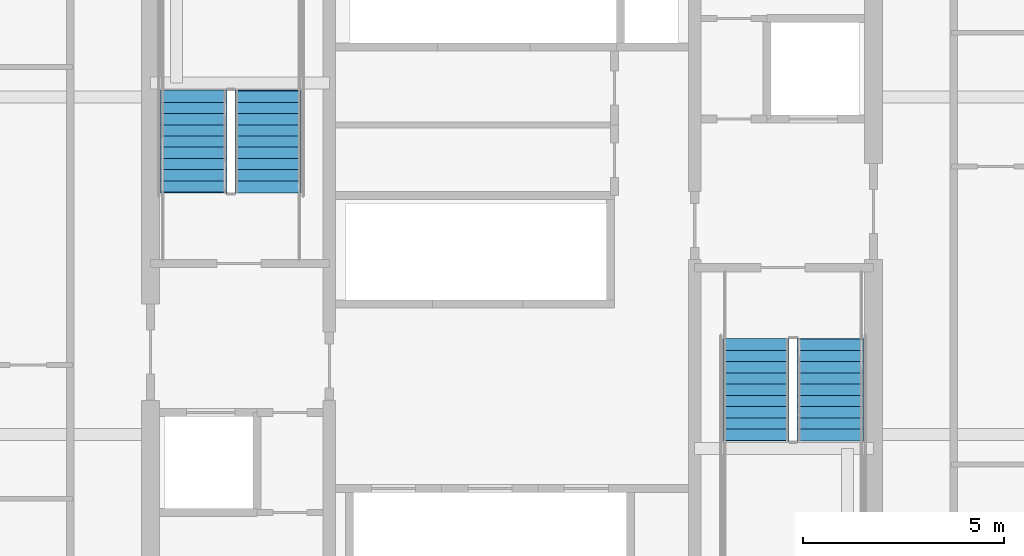
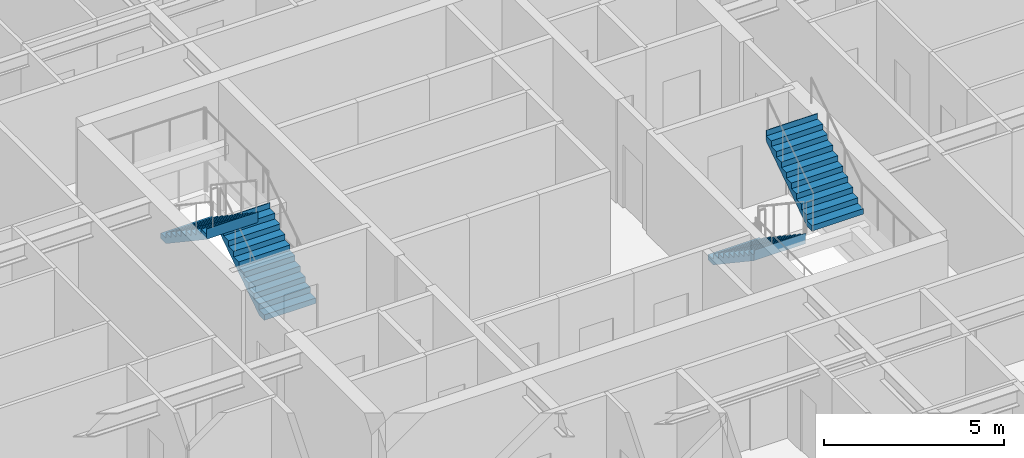
# One storey, part 29 of 35: 4 stair flights, 2 elements without a shape of their own.
"""IFC4 building model written with IfcOpenShell, lengths in metres."""

from ifc_helpers import new_model, si_unit, direction, frame, origin, place, context, subcontext, project, spatial, polygons, material, type_object, element, aggregate, save


model = new_model("IFC4")

# Units and contexts
model_context = context("Model", 3, precision=1e-05, world=origin(), true_north=direction((0.0, 1.0)))
body_context = subcontext(model_context, "Body", "Model", "MODEL_VIEW")
ifc_project = project(units=[si_unit("LENGTHUNIT", "METRE"), si_unit("AREAUNIT", "SQUARE_METRE"), si_unit("VOLUMEUNIT", "CUBIC_METRE"), si_unit("PLANEANGLEUNIT", "RADIAN"), si_unit("MASSUNIT", "GRAM", prefix="KILO")], contexts=[model_context])

# Site, building, storey
site_placement = place(None, origin())
site = spatial("IfcSite", under=ifc_project, at=site_placement, CompositionType="ELEMENT")
building_placement = place(site_placement, origin())
building = spatial("IfcBuilding", under=site, at=building_placement, Name="Serunith Strait Residences", CompositionType="ELEMENT")
storey_placement = place(building_placement, frame((0.0, 0.0, 56.699951171875)))
storey = spatial("IfcBuildingStorey", under=building, at=storey_placement, Name="L13", CompositionType="ELEMENT", Elevation=56.699951171875)

# Stair, stair flights
ifc_material = material(Name="Concrete C50/60", Category="concrete")
stair_type_1 = type_object("IfcStairType", Name="STR-CORE-1", PredefinedType="HALF_TURN_STAIR", material=ifc_material)
stair_1_placement = place(storey_placement, origin())
stair_1 = element("IfcStair", 1, at=stair_1_placement, inside=storey, type_object=stair_type_1, Name="L13 Protected Escape Stair ST-1", PredefinedType="HALF_TURN_STAIR")
stair_flight_type_1 = type_object("IfcStairFlightType", Name="FLT-CORE-1", PredefinedType="STRAIGHT", material=ifc_material)
stair_flight_1_placement = place(storey_placement, frame((26.324951171875, 27.030029296875, 0.0), z_axis=(0.0, 0.0, 1.0), x_axis=(0.0, 1.0, 0.0)))
stair_flight_1 = element("IfcStairFlight", 2, at=stair_flight_1_placement, type_object=stair_flight_type_1, Name="ST-1 flight 1", NumberOfRisers=10, NumberOfTreads=9, PredefinedType="STRAIGHT", RiserHeight=0.1875, TreadLength=0.28, context=body_context, shape_type="Tessellation", body=[
    polygons([(-0.02001953125, -0.824951171875, 0.0), (-0.02001953125, -0.824951171875, 0.1875), (0.280029296875, -0.824951171875, 0.1875), (0.280029296875, -0.824951171875, 0.375), (0.56005859375, -0.824951171875, 0.375), (0.56005859375, -0.824951171875, 0.5625), (0.840087890625, -0.824951171875, 0.5625), (0.840087890625, -0.824951171875, 0.75), (1.1201171875, -0.824951171875, 0.75), (1.1201171875, -0.824951171875, 0.9375), (1.39990234375, -0.824951171875, 0.9375), (1.39990234375, -0.824951171875, 1.125), (1.679931640625, -0.824951171875, 1.125), (1.679931640625, -0.824951171875, 1.3125), (1.9599609375, -0.824951171875, 1.3125), (1.9599609375, -0.824951171875, 1.5), (2.239990234375, -0.824951171875, 1.5), (2.239990234375, -0.824951171875, 1.6875), (2.52001953125, -0.824951171875, 1.6875), (2.52001953125, -0.824951171875, 1.875), (2.5400390625, -0.824951171875, 1.875), (2.5400390625, -0.824951171875, 1.81494140625), (2.52001953125, -0.824951171875, 1.507080078125), (0.26953125, -0.824951171875, 0.0), (-0.02001953125, -0.41259765625, 0.0), (-0.02001953125, -0.41259765625, 0.1875), (0.280029296875, -0.41259765625, 0.1875), (0.280029296875, -0.41259765625, 0.375), (0.56005859375, -0.41259765625, 0.375), (0.56005859375, -0.41259765625, 0.5625), (0.840087890625, -0.41259765625, 0.5625), (0.840087890625, -0.41259765625, 0.75), (1.1201171875, -0.41259765625, 0.75), (1.1201171875, -0.41259765625, 0.9375), (1.39990234375, -0.41259765625, 0.9375), (1.39990234375, -0.41259765625, 1.125), (1.679931640625, -0.41259765625, 1.125), (1.679931640625, -0.41259765625, 1.3125), (1.9599609375, -0.41259765625, 1.3125), (1.9599609375, -0.41259765625, 1.5), (2.239990234375, -0.41259765625, 1.5), (2.239990234375, -0.41259765625, 1.6875), (2.52001953125, -0.41259765625, 1.6875), (2.52001953125, -0.41259765625, 1.875), (2.5400390625, -0.41259765625, 1.875), (2.5400390625, -0.41259765625, 1.81494140625), (2.52001953125, -0.41259765625, 1.507080078125), (0.26953125, -0.41259765625, 0.0), (-0.02001953125, 0.0, 0.0), (-0.02001953125, 0.0, 0.1875), (0.280029296875, 0.0, 0.1875), (0.280029296875, 0.0, 0.375), (0.56005859375, 0.0, 0.375), (0.56005859375, 0.0, 0.5625), (0.840087890625, 0.0, 0.5625), (0.840087890625, 0.0, 0.75), (1.1201171875, 0.0, 0.75), (1.1201171875, 0.0, 0.9375), (1.39990234375, 0.0, 0.9375), (1.39990234375, 0.0, 1.125), (1.679931640625, 0.0, 1.125), (1.679931640625, 0.0, 1.3125), (1.9599609375, 0.0, 1.3125), (1.9599609375, 0.0, 1.5), (2.239990234375, 0.0, 1.5), (2.239990234375, 0.0, 1.6875), (2.52001953125, 0.0, 1.6875), (2.52001953125, 0.0, 1.875), (2.5400390625, 0.0, 1.875), (2.5400390625, 0.0, 1.81494140625), (2.52001953125, 0.0, 1.507080078125), (0.26953125, 0.0, 0.0), (-0.02001953125, 0.41259765625, 0.0), (-0.02001953125, 0.41259765625, 0.1875), (0.280029296875, 0.41259765625, 0.1875), (0.280029296875, 0.41259765625, 0.375), (0.56005859375, 0.41259765625, 0.375), (0.56005859375, 0.41259765625, 0.5625), (0.840087890625, 0.41259765625, 0.5625), (0.840087890625, 0.41259765625, 0.75), (1.1201171875, 0.41259765625, 0.75), (1.1201171875, 0.41259765625, 0.9375), (1.39990234375, 0.41259765625, 0.9375), (1.39990234375, 0.41259765625, 1.125), (1.679931640625, 0.41259765625, 1.125), (1.679931640625, 0.41259765625, 1.3125), (1.9599609375, 0.41259765625, 1.3125), (1.9599609375, 0.41259765625, 1.5), (2.239990234375, 0.41259765625, 1.5), (2.239990234375, 0.41259765625, 1.6875), (2.52001953125, 0.41259765625, 1.6875), (2.52001953125, 0.41259765625, 1.875), (2.5400390625, 0.41259765625, 1.875), (2.5400390625, 0.41259765625, 1.81494140625), (2.52001953125, 0.41259765625, 1.507080078125), (0.26953125, 0.41259765625, 0.0), (-0.02001953125, 0.824951171875, 0.0), (-0.02001953125, 0.824951171875, 0.1875), (0.280029296875, 0.824951171875, 0.1875), (0.280029296875, 0.824951171875, 0.375), (0.56005859375, 0.824951171875, 0.375), (0.56005859375, 0.824951171875, 0.5625), (0.840087890625, 0.824951171875, 0.5625), (0.840087890625, 0.824951171875, 0.75), (1.1201171875, 0.824951171875, 0.75), (1.1201171875, 0.824951171875, 0.9375), (1.39990234375, 0.824951171875, 0.9375), (1.39990234375, 0.824951171875, 1.125), (1.679931640625, 0.824951171875, 1.125), (1.679931640625, 0.824951171875, 1.3125), (1.9599609375, 0.824951171875, 1.3125), (1.9599609375, 0.824951171875, 1.5), (2.239990234375, 0.824951171875, 1.5), (2.239990234375, 0.824951171875, 1.6875), (2.52001953125, 0.824951171875, 1.6875), (2.52001953125, 0.824951171875, 1.875), (2.5400390625, 0.824951171875, 1.875), (2.5400390625, 0.824951171875, 1.81494140625), (2.52001953125, 0.824951171875, 1.507080078125), (0.26953125, 0.824951171875, 0.0)], [[[1, 2, 26, 25]], [[2, 3, 27, 26]], [[3, 4, 28, 27]], [[4, 5, 29, 28]], [[5, 6, 30, 29]], [[6, 7, 31, 30]], [[7, 8, 32, 31]], [[8, 9, 33, 32]], [[9, 10, 34, 33]], [[10, 11, 35, 34]], [[11, 12, 36, 35]], [[12, 13, 37, 36]], [[13, 14, 38, 37]], [[14, 15, 39, 38]], [[15, 16, 40, 39]], [[16, 17, 41, 40]], [[17, 18, 42, 41]], [[18, 19, 43, 42]], [[19, 20, 44, 43]], [[20, 21, 45, 44]], [[21, 22, 46, 45]], [[22, 23, 47, 46]], [[23, 24, 48, 47]], [[24, 1, 25, 48]], [[25, 26, 50, 49]], [[26, 27, 51, 50]], [[27, 28, 52, 51]], [[28, 29, 53, 52]], [[29, 30, 54, 53]], [[30, 31, 55, 54]], [[31, 32, 56, 55]], [[32, 33, 57, 56]], [[33, 34, 58, 57]], [[34, 35, 59, 58]], [[35, 36, 60, 59]], [[36, 37, 61, 60]], [[37, 38, 62, 61]], [[38, 39, 63, 62]], [[39, 40, 64, 63]], [[40, 41, 65, 64]], [[41, 42, 66, 65]], [[42, 43, 67, 66]], [[43, 44, 68, 67]], [[44, 45, 69, 68]], [[45, 46, 70, 69]], [[46, 47, 71, 70]], [[47, 48, 72, 71]], [[48, 25, 49, 72]], [[49, 50, 74, 73]], [[50, 51, 75, 74]], [[51, 52, 76, 75]], [[52, 53, 77, 76]], [[53, 54, 78, 77]], [[54, 55, 79, 78]], [[55, 56, 80, 79]], [[56, 57, 81, 80]], [[57, 58, 82, 81]], [[58, 59, 83, 82]], [[59, 60, 84, 83]], [[60, 61, 85, 84]], [[61, 62, 86, 85]], [[62, 63, 87, 86]], [[63, 64, 88, 87]], [[64, 65, 89, 88]], [[65, 66, 90, 89]], [[66, 67, 91, 90]], [[67, 68, 92, 91]], [[68, 69, 93, 92]], [[69, 70, 94, 93]], [[70, 71, 95, 94]], [[71, 72, 96, 95]], [[72, 49, 73, 96]], [[73, 74, 98, 97]], [[74, 75, 99, 98]], [[75, 76, 100, 99]], [[76, 77, 101, 100]], [[77, 78, 102, 101]], [[78, 79, 103, 102]], [[79, 80, 104, 103]], [[80, 81, 105, 104]], [[81, 82, 106, 105]], [[82, 83, 107, 106]], [[83, 84, 108, 107]], [[84, 85, 109, 108]], [[85, 86, 110, 109]], [[86, 87, 111, 110]], [[87, 88, 112, 111]], [[88, 89, 113, 112]], [[89, 90, 114, 113]], [[90, 91, 115, 114]], [[91, 92, 116, 115]], [[92, 93, 117, 116]], [[93, 94, 118, 117]], [[94, 95, 119, 118]], [[95, 96, 120, 119]], [[96, 73, 97, 120]], [[24, 23, 22, 21, 20, 19, 18, 17, 16, 15, 14, 13, 12, 11, 10, 9, 8, 7, 6, 5, 4, 3, 2, 1]], [[97, 98, 99, 100, 101, 102, 103, 104, 105, 106, 107, 108, 109, 110, 111, 112, 113, 114, 115, 116, 117, 118, 119, 120]]], closed=True),
])
stair_flight_2_placement = place(storey_placement, frame((24.47509765625, 29.550048828125, 1.875), z_axis=(0.0, 0.0, 1.0), x_axis=(0.0, -1.0, 0.0)))
stair_flight_2 = element("IfcStairFlight", 3, at=stair_flight_2_placement, type_object=stair_flight_type_1, Name="ST-1 flight 2", NumberOfRisers=10, NumberOfTreads=9, PredefinedType="STRAIGHT", RiserHeight=0.1875, TreadLength=0.28, context=body_context, shape_type="Tessellation", body=[
    polygons([(-0.02001953125, -0.824951171875, 0.0), (-0.02001953125, -0.824951171875, 0.1875), (0.280029296875, -0.824951171875, 0.1875), (0.280029296875, -0.824951171875, 0.375), (0.56005859375, -0.824951171875, 0.375), (0.56005859375, -0.824951171875, 0.5625), (0.840087890625, -0.824951171875, 0.5625), (0.840087890625, -0.824951171875, 0.75), (1.1201171875, -0.824951171875, 0.75), (1.1201171875, -0.824951171875, 0.9375), (1.39990234375, -0.824951171875, 0.9375), (1.39990234375, -0.824951171875, 1.125), (1.679931640625, -0.824951171875, 1.125), (1.679931640625, -0.824951171875, 1.3125), (1.9599609375, -0.824951171875, 1.3125), (1.9599609375, -0.824951171875, 1.5), (2.239990234375, -0.824951171875, 1.5), (2.239990234375, -0.824951171875, 1.6875), (2.52001953125, -0.824951171875, 1.6875), (2.52001953125, -0.824951171875, 1.875), (2.5400390625, -0.824951171875, 1.875), (2.5400390625, -0.824951171875, 1.81494140625), (2.52001953125, -0.824951171875, 1.507080078125), (0.26953125, -0.824951171875, 0.0), (-0.02001953125, -0.41259765625, 0.0), (-0.02001953125, -0.41259765625, 0.1875), (0.280029296875, -0.41259765625, 0.1875), (0.280029296875, -0.41259765625, 0.375), (0.56005859375, -0.41259765625, 0.375), (0.56005859375, -0.41259765625, 0.5625), (0.840087890625, -0.41259765625, 0.5625), (0.840087890625, -0.41259765625, 0.75), (1.1201171875, -0.41259765625, 0.75), (1.1201171875, -0.41259765625, 0.9375), (1.39990234375, -0.41259765625, 0.9375), (1.39990234375, -0.41259765625, 1.125), (1.679931640625, -0.41259765625, 1.125), (1.679931640625, -0.41259765625, 1.3125), (1.9599609375, -0.41259765625, 1.3125), (1.9599609375, -0.41259765625, 1.5), (2.239990234375, -0.41259765625, 1.5), (2.239990234375, -0.41259765625, 1.6875), (2.52001953125, -0.41259765625, 1.6875), (2.52001953125, -0.41259765625, 1.875), (2.5400390625, -0.41259765625, 1.875), (2.5400390625, -0.41259765625, 1.81494140625), (2.52001953125, -0.41259765625, 1.507080078125), (0.26953125, -0.41259765625, 0.0), (-0.02001953125, 0.0, 0.0), (-0.02001953125, 0.0, 0.1875), (0.280029296875, 0.0, 0.1875), (0.280029296875, 0.0, 0.375), (0.56005859375, 0.0, 0.375), (0.56005859375, 0.0, 0.5625), (0.840087890625, 0.0, 0.5625), (0.840087890625, 0.0, 0.75), (1.1201171875, 0.0, 0.75), (1.1201171875, 0.0, 0.9375), (1.39990234375, 0.0, 0.9375), (1.39990234375, 0.0, 1.125), (1.679931640625, 0.0, 1.125), (1.679931640625, 0.0, 1.3125), (1.9599609375, 0.0, 1.3125), (1.9599609375, 0.0, 1.5), (2.239990234375, 0.0, 1.5), (2.239990234375, 0.0, 1.6875), (2.52001953125, 0.0, 1.6875), (2.52001953125, 0.0, 1.875), (2.5400390625, 0.0, 1.875), (2.5400390625, 0.0, 1.81494140625), (2.52001953125, 0.0, 1.507080078125), (0.26953125, 0.0, 0.0), (-0.02001953125, 0.41259765625, 0.0), (-0.02001953125, 0.41259765625, 0.1875), (0.280029296875, 0.41259765625, 0.1875), (0.280029296875, 0.41259765625, 0.375), (0.56005859375, 0.41259765625, 0.375), (0.56005859375, 0.41259765625, 0.5625), (0.840087890625, 0.41259765625, 0.5625), (0.840087890625, 0.41259765625, 0.75), (1.1201171875, 0.41259765625, 0.75), (1.1201171875, 0.41259765625, 0.9375), (1.39990234375, 0.41259765625, 0.9375), (1.39990234375, 0.41259765625, 1.125), (1.679931640625, 0.41259765625, 1.125), (1.679931640625, 0.41259765625, 1.3125), (1.9599609375, 0.41259765625, 1.3125), (1.9599609375, 0.41259765625, 1.5), (2.239990234375, 0.41259765625, 1.5), (2.239990234375, 0.41259765625, 1.6875), (2.52001953125, 0.41259765625, 1.6875), (2.52001953125, 0.41259765625, 1.875), (2.5400390625, 0.41259765625, 1.875), (2.5400390625, 0.41259765625, 1.81494140625), (2.52001953125, 0.41259765625, 1.507080078125), (0.26953125, 0.41259765625, 0.0), (-0.02001953125, 0.824951171875, 0.0), (-0.02001953125, 0.824951171875, 0.1875), (0.280029296875, 0.824951171875, 0.1875), (0.280029296875, 0.824951171875, 0.375), (0.56005859375, 0.824951171875, 0.375), (0.56005859375, 0.824951171875, 0.5625), (0.840087890625, 0.824951171875, 0.5625), (0.840087890625, 0.824951171875, 0.75), (1.1201171875, 0.824951171875, 0.75), (1.1201171875, 0.824951171875, 0.9375), (1.39990234375, 0.824951171875, 0.9375), (1.39990234375, 0.824951171875, 1.125), (1.679931640625, 0.824951171875, 1.125), (1.679931640625, 0.824951171875, 1.3125), (1.9599609375, 0.824951171875, 1.3125), (1.9599609375, 0.824951171875, 1.5), (2.239990234375, 0.824951171875, 1.5), (2.239990234375, 0.824951171875, 1.6875), (2.52001953125, 0.824951171875, 1.6875), (2.52001953125, 0.824951171875, 1.875), (2.5400390625, 0.824951171875, 1.875), (2.5400390625, 0.824951171875, 1.81494140625), (2.52001953125, 0.824951171875, 1.507080078125), (0.26953125, 0.824951171875, 0.0)], [[[1, 2, 26, 25]], [[2, 3, 27, 26]], [[3, 4, 28, 27]], [[4, 5, 29, 28]], [[5, 6, 30, 29]], [[6, 7, 31, 30]], [[7, 8, 32, 31]], [[8, 9, 33, 32]], [[9, 10, 34, 33]], [[10, 11, 35, 34]], [[11, 12, 36, 35]], [[12, 13, 37, 36]], [[13, 14, 38, 37]], [[14, 15, 39, 38]], [[15, 16, 40, 39]], [[16, 17, 41, 40]], [[17, 18, 42, 41]], [[18, 19, 43, 42]], [[19, 20, 44, 43]], [[20, 21, 45, 44]], [[21, 22, 46, 45]], [[22, 23, 47, 46]], [[23, 24, 48, 47]], [[24, 1, 25, 48]], [[25, 26, 50, 49]], [[26, 27, 51, 50]], [[27, 28, 52, 51]], [[28, 29, 53, 52]], [[29, 30, 54, 53]], [[30, 31, 55, 54]], [[31, 32, 56, 55]], [[32, 33, 57, 56]], [[33, 34, 58, 57]], [[34, 35, 59, 58]], [[35, 36, 60, 59]], [[36, 37, 61, 60]], [[37, 38, 62, 61]], [[38, 39, 63, 62]], [[39, 40, 64, 63]], [[40, 41, 65, 64]], [[41, 42, 66, 65]], [[42, 43, 67, 66]], [[43, 44, 68, 67]], [[44, 45, 69, 68]], [[45, 46, 70, 69]], [[46, 47, 71, 70]], [[47, 48, 72, 71]], [[48, 25, 49, 72]], [[49, 50, 74, 73]], [[50, 51, 75, 74]], [[51, 52, 76, 75]], [[52, 53, 77, 76]], [[53, 54, 78, 77]], [[54, 55, 79, 78]], [[55, 56, 80, 79]], [[56, 57, 81, 80]], [[57, 58, 82, 81]], [[58, 59, 83, 82]], [[59, 60, 84, 83]], [[60, 61, 85, 84]], [[61, 62, 86, 85]], [[62, 63, 87, 86]], [[63, 64, 88, 87]], [[64, 65, 89, 88]], [[65, 66, 90, 89]], [[66, 67, 91, 90]], [[67, 68, 92, 91]], [[68, 69, 93, 92]], [[69, 70, 94, 93]], [[70, 71, 95, 94]], [[71, 72, 96, 95]], [[72, 49, 73, 96]], [[73, 74, 98, 97]], [[74, 75, 99, 98]], [[75, 76, 100, 99]], [[76, 77, 101, 100]], [[77, 78, 102, 101]], [[78, 79, 103, 102]], [[79, 80, 104, 103]], [[80, 81, 105, 104]], [[81, 82, 106, 105]], [[82, 83, 107, 106]], [[83, 84, 108, 107]], [[84, 85, 109, 108]], [[85, 86, 110, 109]], [[86, 87, 111, 110]], [[87, 88, 112, 111]], [[88, 89, 113, 112]], [[89, 90, 114, 113]], [[90, 91, 115, 114]], [[91, 92, 116, 115]], [[92, 93, 117, 116]], [[93, 94, 118, 117]], [[94, 95, 119, 118]], [[95, 96, 120, 119]], [[96, 73, 97, 120]], [[24, 23, 22, 21, 20, 19, 18, 17, 16, 15, 14, 13, 12, 11, 10, 9, 8, 7, 6, 5, 4, 3, 2, 1]], [[97, 98, 99, 100, 101, 102, 103, 104, 105, 106, 107, 108, 109, 110, 111, 112, 113, 114, 115, 116, 117, 118, 119, 120]]], closed=True),
])
aggregate(stair_1, [stair_flight_1, stair_flight_2])

stair_type_2 = type_object("IfcStairType", Name="STR-CORE-2", PredefinedType="HALF_TURN_STAIR", material=ifc_material)
stair_2_placement = place(storey_placement, origin())
stair_2 = element("IfcStair", 4, at=stair_2_placement, inside=storey, type_object=stair_type_2, Name="L13 Protected Escape Stair ST-2", PredefinedType="HALF_TURN_STAIR")
stair_flight_type_2 = type_object("IfcStairFlightType", Name="FLT-CORE-2", PredefinedType="STRAIGHT", material=ifc_material)
stair_flight_3_placement = place(storey_placement, frame((38.47509765625, 23.3701171875, 0.0), z_axis=(0.0, 0.0, 1.0), x_axis=(0.0, -1.0, 0.0)))
stair_flight_3 = element("IfcStairFlight", 5, at=stair_flight_3_placement, type_object=stair_flight_type_2, Name="ST-2 flight 1", NumberOfRisers=10, NumberOfTreads=9, PredefinedType="STRAIGHT", RiserHeight=0.1875, TreadLength=0.28, context=body_context, shape_type="Tessellation", body=[
    polygons([(-0.02001953125, -0.824951171875, 0.0), (-0.02001953125, -0.824951171875, 0.1875), (0.280029296875, -0.824951171875, 0.1875), (0.280029296875, -0.824951171875, 0.375), (0.56005859375, -0.824951171875, 0.375), (0.56005859375, -0.824951171875, 0.5625), (0.840087890625, -0.824951171875, 0.5625), (0.840087890625, -0.824951171875, 0.75), (1.1201171875, -0.824951171875, 0.75), (1.1201171875, -0.824951171875, 0.9375), (1.39990234375, -0.824951171875, 0.9375), (1.39990234375, -0.824951171875, 1.125), (1.679931640625, -0.824951171875, 1.125), (1.679931640625, -0.824951171875, 1.3125), (1.9599609375, -0.824951171875, 1.3125), (1.9599609375, -0.824951171875, 1.5), (2.239990234375, -0.824951171875, 1.5), (2.239990234375, -0.824951171875, 1.6875), (2.52001953125, -0.824951171875, 1.6875), (2.52001953125, -0.824951171875, 1.875), (2.5400390625, -0.824951171875, 1.875), (2.5400390625, -0.824951171875, 1.81494140625), (2.52001953125, -0.824951171875, 1.507080078125), (0.26953125, -0.824951171875, 0.0), (-0.02001953125, -0.41259765625, 0.0), (-0.02001953125, -0.41259765625, 0.1875), (0.280029296875, -0.41259765625, 0.1875), (0.280029296875, -0.41259765625, 0.375), (0.56005859375, -0.41259765625, 0.375), (0.56005859375, -0.41259765625, 0.5625), (0.840087890625, -0.41259765625, 0.5625), (0.840087890625, -0.41259765625, 0.75), (1.1201171875, -0.41259765625, 0.75), (1.1201171875, -0.41259765625, 0.9375), (1.39990234375, -0.41259765625, 0.9375), (1.39990234375, -0.41259765625, 1.125), (1.679931640625, -0.41259765625, 1.125), (1.679931640625, -0.41259765625, 1.3125), (1.9599609375, -0.41259765625, 1.3125), (1.9599609375, -0.41259765625, 1.5), (2.239990234375, -0.41259765625, 1.5), (2.239990234375, -0.41259765625, 1.6875), (2.52001953125, -0.41259765625, 1.6875), (2.52001953125, -0.41259765625, 1.875), (2.5400390625, -0.41259765625, 1.875), (2.5400390625, -0.41259765625, 1.81494140625), (2.52001953125, -0.41259765625, 1.507080078125), (0.26953125, -0.41259765625, 0.0), (-0.02001953125, 0.0, 0.0), (-0.02001953125, 0.0, 0.1875), (0.280029296875, 0.0, 0.1875), (0.280029296875, 0.0, 0.375), (0.56005859375, 0.0, 0.375), (0.56005859375, 0.0, 0.5625), (0.840087890625, 0.0, 0.5625), (0.840087890625, 0.0, 0.75), (1.1201171875, 0.0, 0.75), (1.1201171875, 0.0, 0.9375), (1.39990234375, 0.0, 0.9375), (1.39990234375, 0.0, 1.125), (1.679931640625, 0.0, 1.125), (1.679931640625, 0.0, 1.3125), (1.9599609375, 0.0, 1.3125), (1.9599609375, 0.0, 1.5), (2.239990234375, 0.0, 1.5), (2.239990234375, 0.0, 1.6875), (2.52001953125, 0.0, 1.6875), (2.52001953125, 0.0, 1.875), (2.5400390625, 0.0, 1.875), (2.5400390625, 0.0, 1.81494140625), (2.52001953125, 0.0, 1.507080078125), (0.26953125, 0.0, 0.0), (-0.02001953125, 0.41259765625, 0.0), (-0.02001953125, 0.41259765625, 0.1875), (0.280029296875, 0.41259765625, 0.1875), (0.280029296875, 0.41259765625, 0.375), (0.56005859375, 0.41259765625, 0.375), (0.56005859375, 0.41259765625, 0.5625), (0.840087890625, 0.41259765625, 0.5625), (0.840087890625, 0.41259765625, 0.75), (1.1201171875, 0.41259765625, 0.75), (1.1201171875, 0.41259765625, 0.9375), (1.39990234375, 0.41259765625, 0.9375), (1.39990234375, 0.41259765625, 1.125), (1.679931640625, 0.41259765625, 1.125), (1.679931640625, 0.41259765625, 1.3125), (1.9599609375, 0.41259765625, 1.3125), (1.9599609375, 0.41259765625, 1.5), (2.239990234375, 0.41259765625, 1.5), (2.239990234375, 0.41259765625, 1.6875), (2.52001953125, 0.41259765625, 1.6875), (2.52001953125, 0.41259765625, 1.875), (2.5400390625, 0.41259765625, 1.875), (2.5400390625, 0.41259765625, 1.81494140625), (2.52001953125, 0.41259765625, 1.507080078125), (0.26953125, 0.41259765625, 0.0), (-0.02001953125, 0.824951171875, 0.0), (-0.02001953125, 0.824951171875, 0.1875), (0.280029296875, 0.824951171875, 0.1875), (0.280029296875, 0.824951171875, 0.375), (0.56005859375, 0.824951171875, 0.375), (0.56005859375, 0.824951171875, 0.5625), (0.840087890625, 0.824951171875, 0.5625), (0.840087890625, 0.824951171875, 0.75), (1.1201171875, 0.824951171875, 0.75), (1.1201171875, 0.824951171875, 0.9375), (1.39990234375, 0.824951171875, 0.9375), (1.39990234375, 0.824951171875, 1.125), (1.679931640625, 0.824951171875, 1.125), (1.679931640625, 0.824951171875, 1.3125), (1.9599609375, 0.824951171875, 1.3125), (1.9599609375, 0.824951171875, 1.5), (2.239990234375, 0.824951171875, 1.5), (2.239990234375, 0.824951171875, 1.6875), (2.52001953125, 0.824951171875, 1.6875), (2.52001953125, 0.824951171875, 1.875), (2.5400390625, 0.824951171875, 1.875), (2.5400390625, 0.824951171875, 1.81494140625), (2.52001953125, 0.824951171875, 1.507080078125), (0.26953125, 0.824951171875, 0.0)], [[[1, 2, 26, 25]], [[2, 3, 27, 26]], [[3, 4, 28, 27]], [[4, 5, 29, 28]], [[5, 6, 30, 29]], [[6, 7, 31, 30]], [[7, 8, 32, 31]], [[8, 9, 33, 32]], [[9, 10, 34, 33]], [[10, 11, 35, 34]], [[11, 12, 36, 35]], [[12, 13, 37, 36]], [[13, 14, 38, 37]], [[14, 15, 39, 38]], [[15, 16, 40, 39]], [[16, 17, 41, 40]], [[17, 18, 42, 41]], [[18, 19, 43, 42]], [[19, 20, 44, 43]], [[20, 21, 45, 44]], [[21, 22, 46, 45]], [[22, 23, 47, 46]], [[23, 24, 48, 47]], [[24, 1, 25, 48]], [[25, 26, 50, 49]], [[26, 27, 51, 50]], [[27, 28, 52, 51]], [[28, 29, 53, 52]], [[29, 30, 54, 53]], [[30, 31, 55, 54]], [[31, 32, 56, 55]], [[32, 33, 57, 56]], [[33, 34, 58, 57]], [[34, 35, 59, 58]], [[35, 36, 60, 59]], [[36, 37, 61, 60]], [[37, 38, 62, 61]], [[38, 39, 63, 62]], [[39, 40, 64, 63]], [[40, 41, 65, 64]], [[41, 42, 66, 65]], [[42, 43, 67, 66]], [[43, 44, 68, 67]], [[44, 45, 69, 68]], [[45, 46, 70, 69]], [[46, 47, 71, 70]], [[47, 48, 72, 71]], [[48, 25, 49, 72]], [[49, 50, 74, 73]], [[50, 51, 75, 74]], [[51, 52, 76, 75]], [[52, 53, 77, 76]], [[53, 54, 78, 77]], [[54, 55, 79, 78]], [[55, 56, 80, 79]], [[56, 57, 81, 80]], [[57, 58, 82, 81]], [[58, 59, 83, 82]], [[59, 60, 84, 83]], [[60, 61, 85, 84]], [[61, 62, 86, 85]], [[62, 63, 87, 86]], [[63, 64, 88, 87]], [[64, 65, 89, 88]], [[65, 66, 90, 89]], [[66, 67, 91, 90]], [[67, 68, 92, 91]], [[68, 69, 93, 92]], [[69, 70, 94, 93]], [[70, 71, 95, 94]], [[71, 72, 96, 95]], [[72, 49, 73, 96]], [[73, 74, 98, 97]], [[74, 75, 99, 98]], [[75, 76, 100, 99]], [[76, 77, 101, 100]], [[77, 78, 102, 101]], [[78, 79, 103, 102]], [[79, 80, 104, 103]], [[80, 81, 105, 104]], [[81, 82, 106, 105]], [[82, 83, 107, 106]], [[83, 84, 108, 107]], [[84, 85, 109, 108]], [[85, 86, 110, 109]], [[86, 87, 111, 110]], [[87, 88, 112, 111]], [[88, 89, 113, 112]], [[89, 90, 114, 113]], [[90, 91, 115, 114]], [[91, 92, 116, 115]], [[92, 93, 117, 116]], [[93, 94, 118, 117]], [[94, 95, 119, 118]], [[95, 96, 120, 119]], [[96, 73, 97, 120]], [[24, 23, 22, 21, 20, 19, 18, 17, 16, 15, 14, 13, 12, 11, 10, 9, 8, 7, 6, 5, 4, 3, 2, 1]], [[97, 98, 99, 100, 101, 102, 103, 104, 105, 106, 107, 108, 109, 110, 111, 112, 113, 114, 115, 116, 117, 118, 119, 120]]], closed=True),
])
stair_flight_4_placement = place(storey_placement, frame((40.324951171875, 20.85009765625, 1.875), z_axis=(0.0, 0.0, 1.0), x_axis=(0.0, 1.0, 0.0)))
stair_flight_4 = element("IfcStairFlight", 6, at=stair_flight_4_placement, type_object=stair_flight_type_2, Name="ST-2 flight 2", NumberOfRisers=10, NumberOfTreads=9, PredefinedType="STRAIGHT", RiserHeight=0.1875, TreadLength=0.28, context=body_context, shape_type="Tessellation", body=[
    polygons([(-0.02001953125, -0.824951171875, 0.0), (-0.02001953125, -0.824951171875, 0.1875), (0.280029296875, -0.824951171875, 0.1875), (0.280029296875, -0.824951171875, 0.375), (0.56005859375, -0.824951171875, 0.375), (0.56005859375, -0.824951171875, 0.5625), (0.840087890625, -0.824951171875, 0.5625), (0.840087890625, -0.824951171875, 0.75), (1.1201171875, -0.824951171875, 0.75), (1.1201171875, -0.824951171875, 0.9375), (1.39990234375, -0.824951171875, 0.9375), (1.39990234375, -0.824951171875, 1.125), (1.679931640625, -0.824951171875, 1.125), (1.679931640625, -0.824951171875, 1.3125), (1.9599609375, -0.824951171875, 1.3125), (1.9599609375, -0.824951171875, 1.5), (2.239990234375, -0.824951171875, 1.5), (2.239990234375, -0.824951171875, 1.6875), (2.52001953125, -0.824951171875, 1.6875), (2.52001953125, -0.824951171875, 1.875), (2.5400390625, -0.824951171875, 1.875), (2.5400390625, -0.824951171875, 1.81494140625), (2.52001953125, -0.824951171875, 1.507080078125), (0.26953125, -0.824951171875, 0.0), (-0.02001953125, -0.41259765625, 0.0), (-0.02001953125, -0.41259765625, 0.1875), (0.280029296875, -0.41259765625, 0.1875), (0.280029296875, -0.41259765625, 0.375), (0.56005859375, -0.41259765625, 0.375), (0.56005859375, -0.41259765625, 0.5625), (0.840087890625, -0.41259765625, 0.5625), (0.840087890625, -0.41259765625, 0.75), (1.1201171875, -0.41259765625, 0.75), (1.1201171875, -0.41259765625, 0.9375), (1.39990234375, -0.41259765625, 0.9375), (1.39990234375, -0.41259765625, 1.125), (1.679931640625, -0.41259765625, 1.125), (1.679931640625, -0.41259765625, 1.3125), (1.9599609375, -0.41259765625, 1.3125), (1.9599609375, -0.41259765625, 1.5), (2.239990234375, -0.41259765625, 1.5), (2.239990234375, -0.41259765625, 1.6875), (2.52001953125, -0.41259765625, 1.6875), (2.52001953125, -0.41259765625, 1.875), (2.5400390625, -0.41259765625, 1.875), (2.5400390625, -0.41259765625, 1.81494140625), (2.52001953125, -0.41259765625, 1.507080078125), (0.26953125, -0.41259765625, 0.0), (-0.02001953125, 0.0, 0.0), (-0.02001953125, 0.0, 0.1875), (0.280029296875, 0.0, 0.1875), (0.280029296875, 0.0, 0.375), (0.56005859375, 0.0, 0.375), (0.56005859375, 0.0, 0.5625), (0.840087890625, 0.0, 0.5625), (0.840087890625, 0.0, 0.75), (1.1201171875, 0.0, 0.75), (1.1201171875, 0.0, 0.9375), (1.39990234375, 0.0, 0.9375), (1.39990234375, 0.0, 1.125), (1.679931640625, 0.0, 1.125), (1.679931640625, 0.0, 1.3125), (1.9599609375, 0.0, 1.3125), (1.9599609375, 0.0, 1.5), (2.239990234375, 0.0, 1.5), (2.239990234375, 0.0, 1.6875), (2.52001953125, 0.0, 1.6875), (2.52001953125, 0.0, 1.875), (2.5400390625, 0.0, 1.875), (2.5400390625, 0.0, 1.81494140625), (2.52001953125, 0.0, 1.507080078125), (0.26953125, 0.0, 0.0), (-0.02001953125, 0.41259765625, 0.0), (-0.02001953125, 0.41259765625, 0.1875), (0.280029296875, 0.41259765625, 0.1875), (0.280029296875, 0.41259765625, 0.375), (0.56005859375, 0.41259765625, 0.375), (0.56005859375, 0.41259765625, 0.5625), (0.840087890625, 0.41259765625, 0.5625), (0.840087890625, 0.41259765625, 0.75), (1.1201171875, 0.41259765625, 0.75), (1.1201171875, 0.41259765625, 0.9375), (1.39990234375, 0.41259765625, 0.9375), (1.39990234375, 0.41259765625, 1.125), (1.679931640625, 0.41259765625, 1.125), (1.679931640625, 0.41259765625, 1.3125), (1.9599609375, 0.41259765625, 1.3125), (1.9599609375, 0.41259765625, 1.5), (2.239990234375, 0.41259765625, 1.5), (2.239990234375, 0.41259765625, 1.6875), (2.52001953125, 0.41259765625, 1.6875), (2.52001953125, 0.41259765625, 1.875), (2.5400390625, 0.41259765625, 1.875), (2.5400390625, 0.41259765625, 1.81494140625), (2.52001953125, 0.41259765625, 1.507080078125), (0.26953125, 0.41259765625, 0.0), (-0.02001953125, 0.824951171875, 0.0), (-0.02001953125, 0.824951171875, 0.1875), (0.280029296875, 0.824951171875, 0.1875), (0.280029296875, 0.824951171875, 0.375), (0.56005859375, 0.824951171875, 0.375), (0.56005859375, 0.824951171875, 0.5625), (0.840087890625, 0.824951171875, 0.5625), (0.840087890625, 0.824951171875, 0.75), (1.1201171875, 0.824951171875, 0.75), (1.1201171875, 0.824951171875, 0.9375), (1.39990234375, 0.824951171875, 0.9375), (1.39990234375, 0.824951171875, 1.125), (1.679931640625, 0.824951171875, 1.125), (1.679931640625, 0.824951171875, 1.3125), (1.9599609375, 0.824951171875, 1.3125), (1.9599609375, 0.824951171875, 1.5), (2.239990234375, 0.824951171875, 1.5), (2.239990234375, 0.824951171875, 1.6875), (2.52001953125, 0.824951171875, 1.6875), (2.52001953125, 0.824951171875, 1.875), (2.5400390625, 0.824951171875, 1.875), (2.5400390625, 0.824951171875, 1.81494140625), (2.52001953125, 0.824951171875, 1.507080078125), (0.26953125, 0.824951171875, 0.0)], [[[1, 2, 26, 25]], [[2, 3, 27, 26]], [[3, 4, 28, 27]], [[4, 5, 29, 28]], [[5, 6, 30, 29]], [[6, 7, 31, 30]], [[7, 8, 32, 31]], [[8, 9, 33, 32]], [[9, 10, 34, 33]], [[10, 11, 35, 34]], [[11, 12, 36, 35]], [[12, 13, 37, 36]], [[13, 14, 38, 37]], [[14, 15, 39, 38]], [[15, 16, 40, 39]], [[16, 17, 41, 40]], [[17, 18, 42, 41]], [[18, 19, 43, 42]], [[19, 20, 44, 43]], [[20, 21, 45, 44]], [[21, 22, 46, 45]], [[22, 23, 47, 46]], [[23, 24, 48, 47]], [[24, 1, 25, 48]], [[25, 26, 50, 49]], [[26, 27, 51, 50]], [[27, 28, 52, 51]], [[28, 29, 53, 52]], [[29, 30, 54, 53]], [[30, 31, 55, 54]], [[31, 32, 56, 55]], [[32, 33, 57, 56]], [[33, 34, 58, 57]], [[34, 35, 59, 58]], [[35, 36, 60, 59]], [[36, 37, 61, 60]], [[37, 38, 62, 61]], [[38, 39, 63, 62]], [[39, 40, 64, 63]], [[40, 41, 65, 64]], [[41, 42, 66, 65]], [[42, 43, 67, 66]], [[43, 44, 68, 67]], [[44, 45, 69, 68]], [[45, 46, 70, 69]], [[46, 47, 71, 70]], [[47, 48, 72, 71]], [[48, 25, 49, 72]], [[49, 50, 74, 73]], [[50, 51, 75, 74]], [[51, 52, 76, 75]], [[52, 53, 77, 76]], [[53, 54, 78, 77]], [[54, 55, 79, 78]], [[55, 56, 80, 79]], [[56, 57, 81, 80]], [[57, 58, 82, 81]], [[58, 59, 83, 82]], [[59, 60, 84, 83]], [[60, 61, 85, 84]], [[61, 62, 86, 85]], [[62, 63, 87, 86]], [[63, 64, 88, 87]], [[64, 65, 89, 88]], [[65, 66, 90, 89]], [[66, 67, 91, 90]], [[67, 68, 92, 91]], [[68, 69, 93, 92]], [[69, 70, 94, 93]], [[70, 71, 95, 94]], [[71, 72, 96, 95]], [[72, 49, 73, 96]], [[73, 74, 98, 97]], [[74, 75, 99, 98]], [[75, 76, 100, 99]], [[76, 77, 101, 100]], [[77, 78, 102, 101]], [[78, 79, 103, 102]], [[79, 80, 104, 103]], [[80, 81, 105, 104]], [[81, 82, 106, 105]], [[82, 83, 107, 106]], [[83, 84, 108, 107]], [[84, 85, 109, 108]], [[85, 86, 110, 109]], [[86, 87, 111, 110]], [[87, 88, 112, 111]], [[88, 89, 113, 112]], [[89, 90, 114, 113]], [[90, 91, 115, 114]], [[91, 92, 116, 115]], [[92, 93, 117, 116]], [[93, 94, 118, 117]], [[94, 95, 119, 118]], [[95, 96, 120, 119]], [[96, 73, 97, 120]], [[24, 23, 22, 21, 20, 19, 18, 17, 16, 15, 14, 13, 12, 11, 10, 9, 8, 7, 6, 5, 4, 3, 2, 1]], [[97, 98, 99, 100, 101, 102, 103, 104, 105, 106, 107, 108, 109, 110, 111, 112, 113, 114, 115, 116, 117, 118, 119, 120]]], closed=True),
])
aggregate(stair_2, [stair_flight_3, stair_flight_4])

save(model, "model.ifc")
